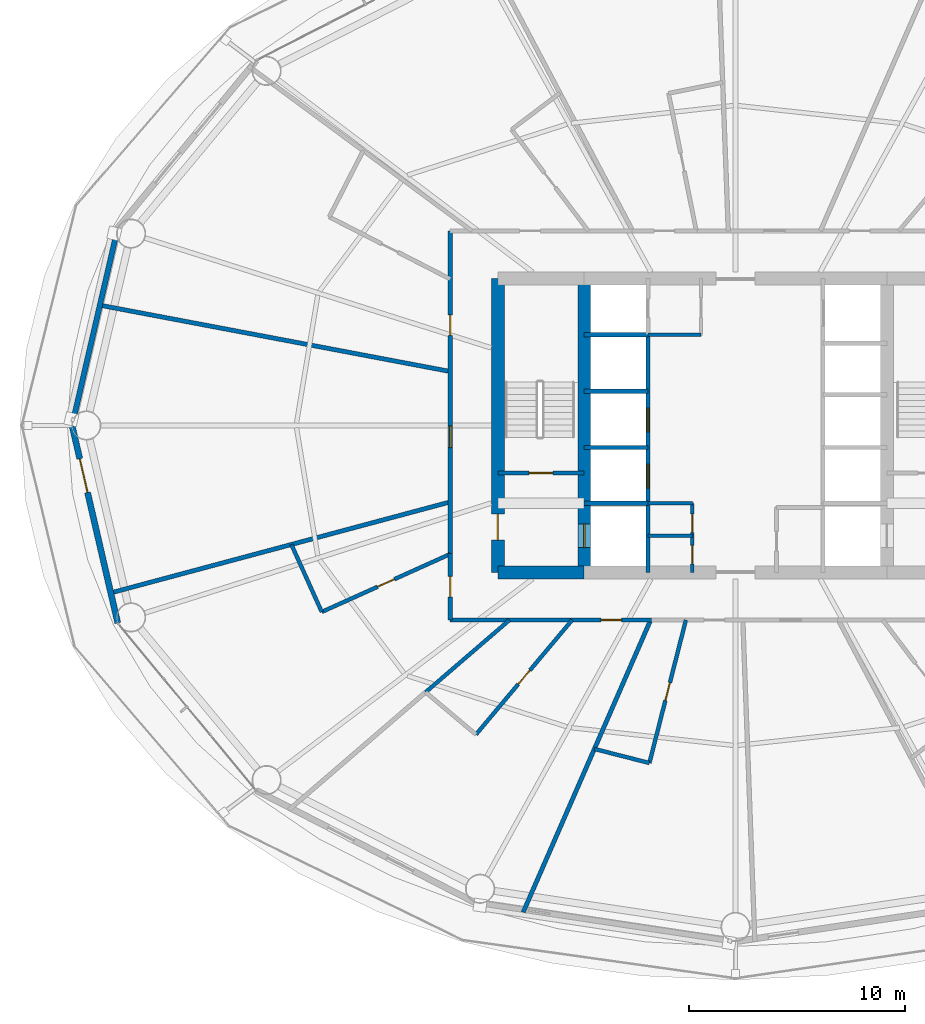
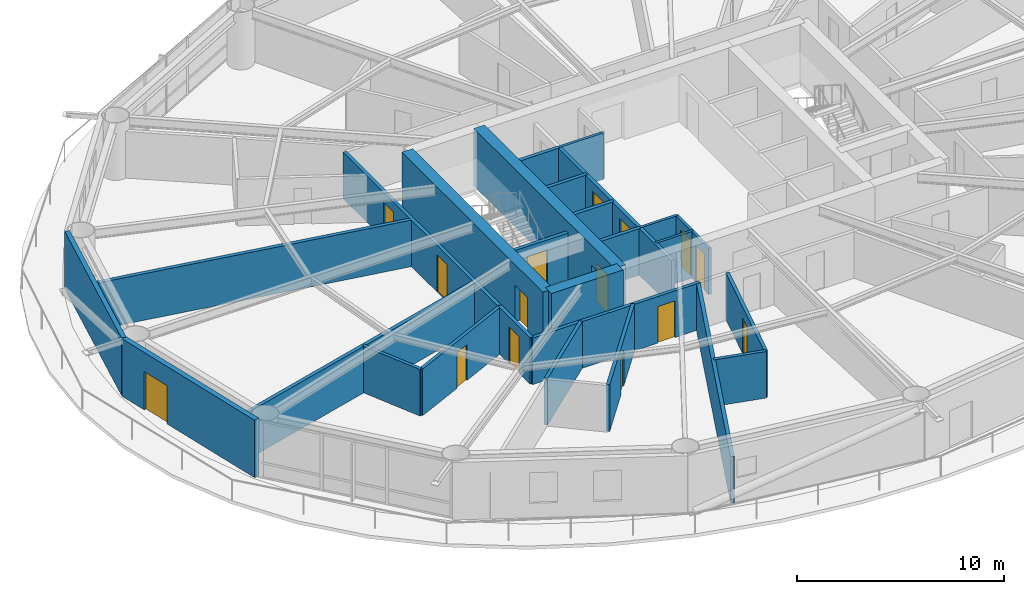
# One storey, part 20 of 26: 28 walls, 15 doors, 15 openings.
"""IFC4 building model written with IfcOpenShell, lengths in metres."""

from ifc_helpers import new_model, si_unit, direction, frame, frame_2d, origin, place, context, subcontext, project, spatial, rectangle, extrude, material, layer, layer_set, type_object, element, fill, save


model = new_model("IFC4")

# Units and contexts
model_context = context("Model", 3, precision=1e-05, world=origin(), true_north=direction((0.0, 1.0)))
body_context = subcontext(model_context, "Body", "Model", "MODEL_VIEW")
ifc_project = project(units=[si_unit("LENGTHUNIT", "METRE"), si_unit("AREAUNIT", "SQUARE_METRE"), si_unit("VOLUMEUNIT", "CUBIC_METRE"), si_unit("PLANEANGLEUNIT", "RADIAN"), si_unit("MASSUNIT", "GRAM", prefix="KILO")], contexts=[model_context])

# Site, building, storey
site_placement = place(None, origin())
site = spatial("IfcSite", under=ifc_project, at=site_placement, CompositionType="ELEMENT")
building_placement = place(site_placement, origin())
building = spatial("IfcBuilding", under=site, at=building_placement, Name="Sarneth Arch Tower", CompositionType="ELEMENT")
storey_placement = place(building_placement, frame((0.0, 0.0, 46.199951171875)))
storey = spatial("IfcBuildingStorey", under=building, at=storey_placement, Name="L10", CompositionType="ELEMENT", Elevation=46.199951171875)

# Wall
ifc_material_1 = material(Name="Concrete C60/75", Category="concrete")
ifc_layer_1 = layer(ifc_material_1, 0.60009765625)
ifc_layer_set_1 = layer_set([ifc_layer_1], Name="Concrete C60/75")
wall_type_1 = type_object("IfcWallType", Name="WALL-CORE-600", PredefinedType="SHEAR", material=ifc_layer_set_1)
wall_1_placement = place(storey_placement, frame((37.0, 35.199951171875, 0.0), z_axis=(0.0, 0.0, 1.0), x_axis=(1.0, 0.0, 0.0)))
element("IfcWall", 1, at=wall_1_placement, inside=storey, type_object=wall_type_1, Name="L10 Core shear wall S-W", PredefinedType="SHEAR", context=body_context, shape_type="SweptSolid", body=[
    extrude(rectangle(XDim=4.0, YDim=0.60009765625, at=frame_2d((2.0, 0.0))), origin(), (0.0, 0.0, 1.0), 3.380126953125),
])

# Wall, opening, door
wall_2_placement = place(storey_placement, frame((37.0, 35.199951171875, 0.0), z_axis=(0.0, 0.0, 1.0), x_axis=(0.0, 1.0, 0.0)))
wall_2 = element("IfcWall", 2, at=wall_2_placement, inside=storey, type_object=wall_type_1, Name="L10 Core shear wall W", PredefinedType="SHEAR", context=body_context, shape_type="SweptSolid", body=[
    extrude(rectangle(XDim=13.60009765625, YDim=0.60009765625, at=frame_2d((6.800048828125, 0.0))), origin(), (0.0, 0.0, 1.0), 3.380126953125),
])
opening_1_placement = place(wall_2_placement, frame((1.5, 0.0, 0.0)))
opening_1 = element("IfcOpeningElement", 3, at=opening_1_placement, cuts=wall_2, Name="Opening FD-02", PredefinedType="OPENING", context=body_context, shape_type="SweptSolid", body=[
    extrude(rectangle(XDim=1.199951171875, YDim=2.14990234375, at=frame_2d((0.60009765625, 1.074951171875))), frame((0.0, 0.31005859375, 0.0), z_axis=(0.0, -1.0, 0.0), x_axis=(1.0, 0.0, 0.0)), (0.0, 0.0, 1.0), 0.6201171875),
])
ifc_material_2 = material(Name="Galvanised Steel S275 fire door set", Category="steel")
door_type_1 = type_object("IfcDoorType", Name="DR-FD90-1200", OperationType="SINGLE_SWING_LEFT", PredefinedType="DOOR", material=ifc_material_2)
door_1_placement = place(opening_1_placement, origin())
door_1 = element("IfcDoor", 4, at=door_1_placement, inside=storey, type_object=door_type_1, Name="L10 Firefighting lobby 1 exit door", OperationType="SINGLE_SWING_LEFT", OverallHeight=2.14990234375, OverallWidth=1.199951171875, PredefinedType="DOOR", context=body_context, shape_type="SweptSolid", body=[
    extrude(rectangle(XDim=1.199951171875, YDim=2.14990234375, at=frame_2d((0.60009765625, 1.074951171875))), frame((0.0, 0.02490234375, 0.0), z_axis=(0.0, -1.0, 0.0), x_axis=(1.0, 0.0, 0.0)), (0.0, 0.0, 1.0), 0.050048828125),
])
fill(opening_1, door_1)

wall_3_placement = place(storey_placement, frame((41.0, 35.199951171875, 0.0), z_axis=(0.0, 0.0, 1.0), x_axis=(0.0, 1.0, 0.0)))
wall_3 = element("IfcWall", 5, at=wall_3_placement, inside=storey, type_object=wall_type_1, Name="L10 Core shear wall WEB-W", PredefinedType="SHEAR", context=body_context, shape_type="SweptSolid", body=[
    extrude(rectangle(XDim=13.60009765625, YDim=0.60009765625, at=frame_2d((6.800048828125, 0.0))), origin(), (0.0, 0.0, 1.0), 3.380126953125),
])
opening_2_placement = place(wall_3_placement, frame((1.14990234375, 0.0, 0.0)))
opening_2 = element("IfcOpeningElement", 6, at=opening_2_placement, cuts=wall_3, Name="Opening LD-1", PredefinedType="OPENING", context=body_context, shape_type="SweptSolid", body=[
    extrude(rectangle(XDim=1.10009765625, YDim=2.199951171875, at=frame_2d((0.550048828125, 1.10009765625))), frame((0.0, 0.31005859375, 0.0), z_axis=(0.0, -1.0, 0.0), x_axis=(1.0, 0.0, 0.0)), (0.0, 0.0, 1.0), 0.6201171875),
])
ifc_material_3 = material(Name="Brushed Stainless Steel 304 lift landing door", Category="steel")
door_type_2 = type_object("IfcDoorType", Name="DR-LIFT-SLIDE-1100", OperationType="SLIDING_TO_LEFT", PredefinedType="DOOR", material=ifc_material_3)
door_2_placement = place(opening_2_placement, origin())
door_2 = element("IfcDoor", 7, at=door_2_placement, inside=storey, type_object=door_type_2, Name="L10 Firefighting lift landing door FL-1", OperationType="SLIDING_TO_LEFT", OverallHeight=2.199951171875, OverallWidth=1.10009765625, PredefinedType="DOOR", context=body_context, shape_type="SweptSolid", body=[
    extrude(rectangle(XDim=1.10009765625, YDim=2.199951171875, at=frame_2d((0.550048828125, 1.10009765625))), frame((0.0, 0.02490234375, 0.0), z_axis=(0.0, -1.0, 0.0), x_axis=(1.0, 0.0, 0.0)), (0.0, 0.0, 1.0), 0.050048828125),
])
fill(opening_2, door_2)

# Wall, openings, doors
ifc_material_4 = material(Name="Double steel-stud corridor fire wall", Category="steel")
ifc_layer_2 = layer(ifc_material_4, 0.18994140625)
ifc_layer_set_2 = layer_set([ifc_layer_2], Name="Double steel-stud corridor fire wall")
wall_type_2 = type_object("IfcWallType", Name="WALL-CORR-190", PredefinedType="PARTITIONING", material=ifc_layer_set_2)
wall_4_placement = place(storey_placement, frame((34.800048828125, 36.016845703125, 0.0), z_axis=(0.0, 0.0, 1.0), x_axis=(0.0, 1.0, 0.0)))
wall_4 = element("IfcWall", 8, at=wall_4_placement, inside=storey, type_object=wall_type_2, Name="L10 Interior partition W-L10-TP-014", PredefinedType="PARTITIONING", context=body_context, shape_type="SweptSolid", body=[
    extrude(rectangle(XDim=14.983154296875, YDim=0.18994140625, at=frame_2d((7.49169921875, 0.0))), origin(), (0.0, 0.0, 1.0), 2.739990234375),
])
opening_3_placement = place(wall_4_placement, frame((4.96337890625, 0.0, 0.0)))
opening_3 = element("IfcOpeningElement", 9, at=opening_3_placement, cuts=wall_4, Name="Opening FD-08", PredefinedType="OPENING", context=body_context, shape_type="SweptSolid", body=[
    extrude(rectangle(XDim=1.0, YDim=2.199951171875, at=frame_2d((0.5, 1.10009765625))), frame((0.0, 0.10498046875, 0.0), z_axis=(0.0, -1.0, 0.0), x_axis=(1.0, 0.0, 0.0)), (0.0, 0.0, 1.0), 0.2099609375),
])
opening_4_placement = place(wall_4_placement, frame((10.146484375, 0.0, 0.0)))
opening_4 = element("IfcOpeningElement", 10, at=opening_4_placement, cuts=wall_4, Name="Opening FD-09", PredefinedType="OPENING", context=body_context, shape_type="SweptSolid", body=[
    extrude(rectangle(XDim=0.949951171875, YDim=2.14990234375, at=frame_2d((0.47509765625, 1.074951171875))), frame((0.0, 0.10498046875, 0.0), z_axis=(0.0, -1.0, 0.0), x_axis=(1.0, 0.0, 0.0)), (0.0, 0.0, 1.0), 0.2099609375),
])
ifc_material_5 = material(Name="Hardwood timber acoustic fire door", Category="wood")
door_type_3 = type_object("IfcDoorType", Name="DR-FD60-1000", OperationType="SINGLE_SWING_LEFT", PredefinedType="DOOR", material=ifc_material_5)
door_3_placement = place(opening_3_placement, origin())
door_3 = element("IfcDoor", 11, at=door_3_placement, inside=storey, type_object=door_type_3, Name="L10 Interior door DR-L10-AMN-07", OperationType="SINGLE_SWING_RIGHT", OverallHeight=2.199951171875, OverallWidth=1.0, PredefinedType="DOOR", context=body_context, shape_type="SweptSolid", body=[
    extrude(rectangle(XDim=1.0, YDim=2.199951171875, at=frame_2d((0.5, 1.10009765625))), frame((0.0, 0.02490234375, 0.0), z_axis=(0.0, -1.0, 0.0), x_axis=(1.0, 0.0, 0.0)), (0.0, 0.0, 1.0), 0.050048828125),
])
fill(opening_3, door_3)
ifc_material_6 = material(Name="Hardwood timber hotel entrance fire door", Category="wood")
door_type_4 = type_object("IfcDoorType", Name="DR-FD60-950", OperationType="SINGLE_SWING_RIGHT", PredefinedType="DOOR", material=ifc_material_6)
door_4_placement = place(opening_4_placement, origin())
door_4 = element("IfcDoor", 12, at=door_4_placement, inside=storey, type_object=door_type_4, Name="L10 Interior door DR-L10-KEY-06", OperationType="SINGLE_SWING_LEFT", OverallHeight=2.14990234375, OverallWidth=0.949951171875, PredefinedType="DOOR", context=body_context, shape_type="SweptSolid", body=[
    extrude(rectangle(XDim=0.949951171875, YDim=2.14990234375, at=frame_2d((0.47509765625, 1.074951171875))), frame((0.0, 0.02490234375, 0.0), z_axis=(0.0, -1.0, 0.0), x_axis=(1.0, 0.0, 0.0)), (0.0, 0.0, 1.0), 0.050048828125),
])
fill(opening_4, door_4)

# Wall, opening, door
wall_5_placement = place(storey_placement, frame((44.108154296875, 33.0, 0.0), z_axis=(0.0, 0.0, 1.0), x_axis=(-1.0, 0.0, 0.0)))
wall_5 = element("IfcWall", 13, at=wall_5_placement, inside=storey, type_object=wall_type_2, Name="L10 Interior partition W-L10-TP-018", PredefinedType="PARTITIONING", context=body_context, shape_type="SweptSolid", body=[
    extrude(rectangle(XDim=9.30810546875, YDim=0.18994140625, at=frame_2d((4.654052734375, 0.0))), origin(), (0.0, 0.0, 1.0), 2.739990234375),
])
opening_5_placement = place(wall_5_placement, frame((1.379638671875, 0.0, 0.0)))
opening_5 = element("IfcOpeningElement", 14, at=opening_5_placement, cuts=wall_5, Name="Opening FD-09", PredefinedType="OPENING", context=body_context, shape_type="SweptSolid", body=[
    extrude(rectangle(XDim=0.949951171875, YDim=2.14990234375, at=frame_2d((0.47509765625, 1.074951171875))), frame((0.0, 0.10498046875, 0.0), z_axis=(0.0, -1.0, 0.0), x_axis=(1.0, 0.0, 0.0)), (0.0, 0.0, 1.0), 0.2099609375),
])
door_5_placement = place(opening_5_placement, origin())
door_5 = element("IfcDoor", 15, at=door_5_placement, inside=storey, type_object=door_type_4, Name="L10 Interior door DR-L10-KEY-09", OperationType="SINGLE_SWING_RIGHT", OverallHeight=2.14990234375, OverallWidth=0.949951171875, PredefinedType="DOOR", context=body_context, shape_type="SweptSolid", body=[
    extrude(rectangle(XDim=0.949951171875, YDim=2.14990234375, at=frame_2d((0.47509765625, 1.074951171875))), frame((0.0, 0.02490234375, 0.0), z_axis=(0.0, -1.0, 0.0), x_axis=(1.0, 0.0, 0.0)), (0.0, 0.0, 1.0), 0.050048828125),
])
fill(opening_5, door_5)

wall_6_placement = place(storey_placement, frame((34.800048828125, 33.0, 0.0), z_axis=(0.0, 0.0, 1.0), x_axis=(0.0, 1.0, 0.0)))
wall_6 = element("IfcWall", 16, at=wall_6_placement, inside=storey, type_object=wall_type_2, Name="L10 Interior partition W-L10-TP-016", PredefinedType="PARTITIONING", context=body_context, shape_type="SweptSolid", body=[
    extrude(rectangle(XDim=3.0869140625, YDim=0.18994140625, at=frame_2d((1.54345703125, 0.0))), origin(), (0.0, 0.0, 1.0), 2.739990234375),
])
opening_6_placement = place(wall_6_placement, frame((1.068603515625, 0.0, 0.0)))
opening_6 = element("IfcOpeningElement", 17, at=opening_6_placement, cuts=wall_6, Name="Opening FD-09", PredefinedType="OPENING", context=body_context, shape_type="SweptSolid", body=[
    extrude(rectangle(XDim=0.949951171875, YDim=2.14990234375, at=frame_2d((0.47509765625, 1.074951171875))), frame((0.0, 0.10498046875, 0.0), z_axis=(0.0, -1.0, 0.0), x_axis=(1.0, 0.0, 0.0)), (0.0, 0.0, 1.0), 0.2099609375),
])
door_6_placement = place(opening_6_placement, origin())
door_6 = element("IfcDoor", 18, at=door_6_placement, inside=storey, type_object=door_type_4, Name="L10 Interior door DR-L10-KEY-08", OperationType="SINGLE_SWING_LEFT", OverallHeight=2.14990234375, OverallWidth=0.949951171875, PredefinedType="DOOR", context=body_context, shape_type="SweptSolid", body=[
    extrude(rectangle(XDim=0.949951171875, YDim=2.14990234375, at=frame_2d((0.47509765625, 1.074951171875))), frame((0.0, 0.02490234375, 0.0), z_axis=(0.0, -1.0, 0.0), x_axis=(1.0, 0.0, 0.0)), (0.0, 0.0, 1.0), 0.050048828125),
])
fill(opening_6, door_6)

# Wall
ifc_material_7 = material(Name="Extruded terracotta rainscreen on Concrete C40/50 backing", Category="masonry")
ifc_layer_3 = layer(ifc_material_7, 0.25)
ifc_layer_set_3 = layer_set([ifc_layer_3], Name="Extruded terracotta rainscreen on Concrete C40/50 backing")
wall_type_3 = type_object("IfcWallType", Name="WALL-EXT-SPAND-250", PredefinedType="SOLIDWALL", material=ifc_layer_set_3)
wall_7_placement = place(storey_placement, frame((19.4189453125, 51.138427734375, 0.0), z_axis=(0.0, 0.0, 1.0), x_axis=(-0.225454452941, -0.974253709076, 0.0)))
element("IfcWall", 19, at=wall_7_placement, inside=storey, type_object=wall_type_3, Name="L10 Terracotta perimeter wall 08", PredefinedType="SOLIDWALL", context=body_context, shape_type="SweptSolid", body=[
    extrude(rectangle(XDim=9.3798828125, YDim=0.25, at=frame_2d((4.68994140625, 0.0))), origin(), (0.0, 0.0, 1.0), 3.380126953125),
])

# Wall, opening, door
ifc_material_8 = material(Name="Extruded terracotta rainscreen on Concrete C40/50 backing", Category="masonry")
ifc_layer_4 = layer(ifc_material_8, 0.280029296875)
ifc_layer_set_4 = layer_set([ifc_layer_4], Name="Extruded terracotta rainscreen on Concrete C40/50 backing")
wall_type_4 = type_object("IfcWallType", Name="WALL-EXT-TERRA-280", PredefinedType="SOLIDWALL", material=ifc_layer_set_4)
wall_8_placement = place(storey_placement, frame((17.30419921875, 42.0, 0.0), z_axis=(0.0, 0.0, 1.0), x_axis=(0.225454452941, -0.974253709076, 0.0)))
wall_8 = element("IfcWall", 20, at=wall_8_placement, inside=storey, type_object=wall_type_4, Name="L10 Terracotta perimeter wall 09", PredefinedType="SOLIDWALL", context=body_context, shape_type="SweptSolid", body=[
    extrude(rectangle(XDim=9.3798828125, YDim=0.280029296875, at=frame_2d((4.68994140625, 0.0))), origin(), (0.0, 0.0, 1.0), 3.380126953125),
])
opening_7_placement = place(wall_8_placement, frame((1.5791015625, 0.0, 0.0)))
opening_7 = element("IfcOpeningElement", 21, at=opening_7_placement, cuts=wall_8, Name="Opening BD-1", PredefinedType="OPENING", context=body_context, shape_type="SweptSolid", body=[
    extrude(rectangle(XDim=1.60009765625, YDim=2.25, at=frame_2d((0.800048828125, 1.125))), frame((0.0, 0.14990234375, 0.0), z_axis=(0.0, -1.0, 0.0), x_axis=(1.0, 0.0, 0.0)), (0.0, 0.0, 1.0), 0.300048828125),
])
ifc_material_9 = material(Name="Thermally broken Aluminium 6063-T6 and laminated safety glass", Category="aluminium")
door_type_5 = type_object("IfcDoorType", Name="DR-BALC-GLZ-1600", OperationType="DOUBLE_DOOR_SINGLE_SWING", PredefinedType="DOOR", material=ifc_material_9)
door_7_placement = place(opening_7_placement, origin())
door_7 = element("IfcDoor", 22, at=door_7_placement, inside=storey, type_object=door_type_5, Name="L10 Balcony glazed door 09", OperationType="DOUBLE_DOOR_SINGLE_SWING", OverallHeight=2.25, OverallWidth=1.60009765625, PredefinedType="DOOR", context=body_context, shape_type="SweptSolid", body=[
    extrude(rectangle(XDim=1.60009765625, YDim=2.25, at=frame_2d((0.800048828125, 1.125))), frame((0.0, 0.02490234375, 0.0), z_axis=(0.0, -1.0, 0.0), x_axis=(1.0, 0.0, 0.0)), (0.0, 0.0, 1.0), 0.050048828125),
])
fill(opening_7, door_7)

# Walls
ifc_material_10 = material(Name="Acoustic gypsum stud partition", Category="gypsum")
ifc_layer_5 = layer(ifc_material_10, 0.14990234375)
ifc_layer_set_5 = layer_set([ifc_layer_5], Name="Acoustic gypsum stud partition")
wall_type_5 = type_object("IfcWallType", Name="WALL-PART-150", PredefinedType="PARTITIONING", material=ifc_layer_set_5)
for number, where, z_axis, x_axis, name in (
    (23, (43.949951171875, 36.89990234375, 0.0), (0.0, 0.0, 1.0), (1.0, 0.0, 0.0), "L10 Interior partition W-L10-CSUP-M"),
    (24, (43.949951171875, 38.39990234375, 0.0), (0.0, 0.0, 1.0), (1.0, 0.0, 0.0), "L10 Interior partition W-L10-CSUP-N"),
):
    element("IfcWall", number, at=place(storey_placement, frame(where, z_axis=z_axis, x_axis=x_axis)), inside=storey, type_object=wall_type_5, Name=name, PredefinedType="PARTITIONING", context=body_context, shape_type="SweptSolid", body=[
        extrude(rectangle(XDim=2.050048828125, YDim=0.14990234375, at=frame_2d((1.02490234375, 0.0))), origin(), (0.0, 0.0, 1.0), 2.739990234375),
    ])

# Wall, openings, doors
wall_9_placement = place(storey_placement, frame((46.0, 35.199951171875, 0.0), z_axis=(0.0, 0.0, 1.0), x_axis=(0.0, 1.0, 0.0)))
wall_9 = element("IfcWall", 25, at=wall_9_placement, inside=storey, type_object=wall_type_5, Name="L10 Interior partition W-L10-CSUP-E", PredefinedType="PARTITIONING", context=body_context, shape_type="SweptSolid", body=[
    extrude(rectangle(XDim=3.199951171875, YDim=0.14990234375, at=frame_2d((1.60009765625, 0.0))), origin(), (0.0, 0.0, 1.0), 2.739990234375),
])
opening_8_placement = place(wall_9_placement, frame((0.39990234375, 0.0, 0.0)))
opening_8 = element("IfcOpeningElement", 26, at=opening_8_placement, cuts=wall_9, Name="Opening FD-11", PredefinedType="OPENING", context=body_context, shape_type="SweptSolid", body=[
    extrude(rectangle(XDim=0.85009765625, YDim=2.14990234375, at=frame_2d((0.425048828125, 1.074951171875))), frame((0.0, 0.0849609375, 0.0), z_axis=(0.0, -1.0, 0.0), x_axis=(1.0, 0.0, 0.0)), (0.0, 0.0, 1.0), 0.169921875),
])
opening_9_placement = place(wall_9_placement, frame((1.85009765625, 0.0, 0.0)))
opening_9 = element("IfcOpeningElement", 27, at=opening_9_placement, cuts=wall_9, Name="Opening FD-11", PredefinedType="OPENING", context=body_context, shape_type="SweptSolid", body=[
    extrude(rectangle(XDim=0.85009765625, YDim=2.14990234375, at=frame_2d((0.425048828125, 1.074951171875))), frame((0.0, 0.0849609375, 0.0), z_axis=(0.0, -1.0, 0.0), x_axis=(1.0, 0.0, 0.0)), (0.0, 0.0, 1.0), 0.169921875),
])
ifc_material_11 = material(Name="Galvanised Steel S275 closet fire door", Category="steel")
door_type_6 = type_object("IfcDoorType", Name="DR-FD60-850", OperationType="SINGLE_SWING_LEFT", PredefinedType="DOOR", material=ifc_material_11)
door_8_placement = place(opening_8_placement, origin())
door_8 = element("IfcDoor", 28, at=door_8_placement, inside=storey, type_object=door_type_6, Name="L10 Interior door DR-L10-CSUP1", OperationType="SINGLE_SWING_LEFT", OverallHeight=2.14990234375, OverallWidth=0.85009765625, PredefinedType="DOOR", context=body_context, shape_type="SweptSolid", body=[
    extrude(rectangle(XDim=0.85009765625, YDim=2.14990234375, at=frame_2d((0.425048828125, 1.074951171875))), frame((0.0, 0.02490234375, 0.0), z_axis=(0.0, -1.0, 0.0), x_axis=(1.0, 0.0, 0.0)), (0.0, 0.0, 1.0), 0.050048828125),
])
fill(opening_8, door_8)
door_9_placement = place(opening_9_placement, origin())
door_9 = element("IfcDoor", 29, at=door_9_placement, inside=storey, type_object=door_type_6, Name="L10 Interior door DR-L10-CSUP2", OperationType="SINGLE_SWING_RIGHT", OverallHeight=2.14990234375, OverallWidth=0.85009765625, PredefinedType="DOOR", context=body_context, shape_type="SweptSolid", body=[
    extrude(rectangle(XDim=0.85009765625, YDim=2.14990234375, at=frame_2d((0.425048828125, 1.074951171875))), frame((0.0, 0.02490234375, 0.0), z_axis=(0.0, -1.0, 0.0), x_axis=(1.0, 0.0, 0.0)), (0.0, 0.0, 1.0), 0.050048828125),
])
fill(opening_9, door_9)

# Wall
wall_10_placement = place(storey_placement, frame((43.949951171875, 46.199951171875, 0.0), z_axis=(0.0, 0.0, 1.0), x_axis=(1.0, 0.0, 0.0)))
element("IfcWall", 30, at=wall_10_placement, inside=storey, type_object=wall_type_5, Name="L10 Interior partition W-L10-CSUP3-S", PredefinedType="PARTITIONING", context=body_context, shape_type="SweptSolid", body=[
    extrude(rectangle(XDim=2.449951171875, YDim=0.14990234375, at=frame_2d((1.22509765625, 0.0))), origin(), (0.0, 0.0, 1.0), 2.739990234375),
])

# Wall, opening, door
ifc_material_12 = material(Name="Moisture-resistant plumbing chase wall", Category="gypsum")
ifc_layer_6 = layer(ifc_material_12, 0.179931640625)
ifc_layer_set_6 = layer_set([ifc_layer_6], Name="Moisture-resistant plumbing chase wall")
wall_type_6 = type_object("IfcWallType", Name="WALL-PLUMB-180", PredefinedType="PLUMBINGWALL", material=ifc_layer_set_6)
wall_11_placement = place(storey_placement, frame((40.4404296875, 33.0, 0.0), z_axis=(0.0, 0.0, 1.0), x_axis=(-0.643154836645, -0.765736153058, 0.0)))
wall_11 = element("IfcWall", 31, at=wall_11_placement, inside=storey, type_object=wall_type_6, Name="L10 Interior partition W-L10-TP-058", PredefinedType="PLUMBINGWALL", context=body_context, shape_type="SweptSolid", body=[
    extrude(rectangle(XDim=6.9169921875, YDim=0.179931640625, at=frame_2d((3.45849609375, 0.0))), origin(), (0.0, 0.0, 1.0), 2.739990234375),
])
opening_10_placement = place(wall_11_placement, frame((3.03369140625, 0.0, 0.0)))
opening_10 = element("IfcOpeningElement", 32, at=opening_10_placement, cuts=wall_11, Name="Opening ID-02", PredefinedType="OPENING", context=body_context, shape_type="SweptSolid", body=[
    extrude(rectangle(XDim=0.85009765625, YDim=2.10009765625, at=frame_2d((0.425048828125, 1.050048828125))), frame((0.0, 0.099853515625, 0.0), z_axis=(0.0, -1.0, 0.0), x_axis=(1.0, 0.0, 0.0)), (0.0, 0.0, 1.0), 0.199951171875),
])
ifc_material_13 = material(Name="Moisture-resistant bathroom timber door", Category="wood")
door_type_7 = type_object("IfcDoorType", Name="DR-INT-850", OperationType="SINGLE_SWING_RIGHT", PredefinedType="DOOR", material=ifc_material_13)
door_10_placement = place(opening_10_placement, origin())
door_10 = element("IfcDoor", 33, at=door_10_placement, inside=storey, type_object=door_type_7, Name="L10 Interior door DR-L10-ENS-09", OperationType="SINGLE_SWING_RIGHT", OverallHeight=2.10009765625, OverallWidth=0.85009765625, PredefinedType="DOOR", context=body_context, shape_type="SweptSolid", body=[
    extrude(rectangle(XDim=0.85009765625, YDim=2.10009765625, at=frame_2d((0.425048828125, 1.050048828125))), frame((0.0, 0.02490234375, 0.0), z_axis=(0.0, -1.0, 0.0), x_axis=(1.0, 0.0, 0.0)), (0.0, 0.0, 1.0), 0.050048828125),
])
fill(opening_10, door_10)

wall_12_placement = place(storey_placement, frame((44.015625, 26.384765625, 0.0), z_axis=(0.0, 0.0, 1.0), x_axis=(0.247244670819, 0.968953080779, 0.0)))
wall_12 = element("IfcWall", 34, at=wall_12_placement, inside=storey, type_object=wall_type_6, Name="L10 Interior partition W-L10-TP-063", PredefinedType="PLUMBINGWALL", context=body_context, shape_type="SweptSolid", body=[
    extrude(rectangle(XDim=6.8271484375, YDim=0.179931640625, at=frame_2d((3.41357421875, 0.0))), origin(), (0.0, 0.0, 1.0), 2.739990234375),
])
opening_11_placement = place(wall_12_placement, frame((2.988525390625, 0.0, 0.0)))
opening_11 = element("IfcOpeningElement", 35, at=opening_11_placement, cuts=wall_12, Name="Opening ID-02", PredefinedType="OPENING", context=body_context, shape_type="SweptSolid", body=[
    extrude(rectangle(XDim=0.85009765625, YDim=2.10009765625, at=frame_2d((0.425048828125, 1.050048828125))), frame((0.0, 0.099853515625, 0.0), z_axis=(0.0, -1.0, 0.0), x_axis=(1.0, 0.0, 0.0)), (0.0, 0.0, 1.0), 0.199951171875),
])
door_11_placement = place(opening_11_placement, origin())
door_11 = element("IfcDoor", 36, at=door_11_placement, inside=storey, type_object=door_type_7, Name="L10 Interior door DR-L10-ENS-10", OperationType="SINGLE_SWING_RIGHT", OverallHeight=2.10009765625, OverallWidth=0.85009765625, PredefinedType="DOOR", context=body_context, shape_type="SweptSolid", body=[
    extrude(rectangle(XDim=0.85009765625, YDim=2.10009765625, at=frame_2d((0.425048828125, 1.050048828125))), frame((0.0, 0.02490234375, 0.0), z_axis=(0.0, -1.0, 0.0), x_axis=(1.0, 0.0, 0.0)), (0.0, 0.0, 1.0), 0.050048828125),
])
fill(opening_11, door_11)

wall_13_placement = place(storey_placement, frame((28.85693359375, 33.373779296875, 0.0), z_axis=(0.0, 0.0, 1.0), x_axis=(0.911702033518, 0.410852044025, 0.0)))
wall_13 = element("IfcWall", 37, at=wall_13_placement, inside=storey, type_object=wall_type_6, Name="L10 Interior partition W-L10-TP-055", PredefinedType="PLUMBINGWALL", context=body_context, shape_type="SweptSolid", body=[
    extrude(rectangle(XDim=6.518798828125, YDim=0.179931640625, at=frame_2d((3.25927734375, 0.0))), origin(), (0.0, 0.0, 1.0), 2.739990234375),
])
opening_12_placement = place(wall_13_placement, frame((2.834228515625, 0.0, 0.0)))
opening_12 = element("IfcOpeningElement", 38, at=opening_12_placement, cuts=wall_13, Name="Opening ID-02", PredefinedType="OPENING", context=body_context, shape_type="SweptSolid", body=[
    extrude(rectangle(XDim=0.85009765625, YDim=2.10009765625, at=frame_2d((0.425048828125, 1.050048828125))), frame((0.0, 0.099853515625, 0.0), z_axis=(0.0, -1.0, 0.0), x_axis=(1.0, 0.0, 0.0)), (0.0, 0.0, 1.0), 0.199951171875),
])
door_12_placement = place(opening_12_placement, origin())
door_12 = element("IfcDoor", 39, at=door_12_placement, inside=storey, type_object=door_type_7, Name="L10 Interior door DR-L10-ENS-08", OperationType="SINGLE_SWING_RIGHT", OverallHeight=2.10009765625, OverallWidth=0.85009765625, PredefinedType="DOOR", context=body_context, shape_type="SweptSolid", body=[
    extrude(rectangle(XDim=0.85009765625, YDim=2.10009765625, at=frame_2d((0.425048828125, 1.050048828125))), frame((0.0, 0.02490234375, 0.0), z_axis=(0.0, -1.0, 0.0), x_axis=(1.0, 0.0, 0.0)), (0.0, 0.0, 1.0), 0.050048828125),
])
fill(opening_12, door_12)

# Walls
wall_14_placement = place(storey_placement, frame((33.661376953125, 29.66064453125, 0.0), z_axis=(0.0, 0.0, 1.0), x_axis=(0.757969199921, 0.652290343307, 0.0)))
element("IfcWall", 40, at=wall_14_placement, inside=storey, type_object=wall_type_6, Name="L10 Interior partition W-L10-TP-057", PredefinedType="PLUMBINGWALL", context=body_context, shape_type="SweptSolid", body=[
    extrude(rectangle(XDim=5.119384765625, YDim=0.179931640625, at=frame_2d((2.5595703125, 0.0))), origin(), (0.0, 0.0, 1.0), 2.739990234375),
])
wall_15_placement = place(storey_placement, frame((27.450927734375, 36.493896484375, 0.0), z_axis=(0.0, 0.0, 1.0), x_axis=(0.410839223928, -0.911707810695, 0.0)))
element("IfcWall", 41, at=wall_15_placement, inside=storey, type_object=wall_type_6, Name="L10 Interior partition W-L10-TP-054", PredefinedType="PLUMBINGWALL", context=body_context, shape_type="SweptSolid", body=[
    extrude(rectangle(XDim=3.42236328125, YDim=0.179931640625, at=frame_2d((1.711181640625, 0.0))), origin(), (0.0, 0.0, 1.0), 2.739990234375),
])
wall_16_placement = place(storey_placement, frame((41.470458984375, 27.0341796875, 0.0), z_axis=(0.0, 0.0, 1.0), x_axis=(0.968955620009, -0.24723471935, 0.0)))
element("IfcWall", 42, at=wall_16_placement, inside=storey, type_object=wall_type_6, Name="L10 Interior partition W-L10-TP-062", PredefinedType="PLUMBINGWALL", context=body_context, shape_type="SweptSolid", body=[
    extrude(rectangle(XDim=2.626708984375, YDim=0.179931640625, at=frame_2d((1.3134765625, 0.0))), origin(), (0.0, 0.0, 1.0), 2.739990234375),
])

# Wall, opening, door
ifc_material_14 = material(Name="Aerated concrete blockwork C25/30", Category="masonry")
ifc_layer_7 = layer(ifc_material_14, 0.199951171875)
ifc_layer_set_7 = layer_set([ifc_layer_7], Name="Aerated concrete blockwork C25/30")
wall_type_7 = type_object("IfcWallType", Name="WALL-SHAFT-200", PredefinedType="SOLIDWALL", material=ifc_layer_set_7)
wall_17_placement = place(storey_placement, frame((37.0, 39.800048828125, 0.0), z_axis=(0.0, 0.0, 1.0), x_axis=(1.0, 0.0, 0.0)))
wall_17 = element("IfcWall", 43, at=wall_17_placement, inside=storey, type_object=wall_type_7, Name="L10 Interior partition W-L10-ST1-S", PredefinedType="SOLIDWALL", context=body_context, shape_type="SweptSolid", body=[
    extrude(rectangle(XDim=4.0, YDim=0.199951171875, at=frame_2d((2.0, 0.0))), origin(), (0.0, 0.0, 1.0), 2.739990234375),
])
opening_13_placement = place(wall_17_placement, frame((1.449951171875, 0.0, 0.0)))
opening_13 = element("IfcOpeningElement", 44, at=opening_13_placement, cuts=wall_17, Name="Opening FD-03", PredefinedType="OPENING", context=body_context, shape_type="SweptSolid", body=[
    extrude(rectangle(XDim=1.10009765625, YDim=2.14990234375, at=frame_2d((0.550048828125, 1.074951171875))), frame((0.0, 0.10986328125, 0.0), z_axis=(0.0, -1.0, 0.0), x_axis=(1.0, 0.0, 0.0)), (0.0, 0.0, 1.0), 0.219970703125),
])
ifc_material_15 = material(Name="Galvanised Steel S275 fire door set", Category="steel")
door_type_8 = type_object("IfcDoorType", Name="DR-FD90-1100", OperationType="SINGLE_SWING_LEFT", PredefinedType="DOOR", material=ifc_material_15)
door_13_placement = place(opening_13_placement, origin())
door_13 = element("IfcDoor", 45, at=door_13_placement, inside=storey, type_object=door_type_8, Name="L10 Interior door DR-L10-ST1", OperationType="SINGLE_SWING_LEFT", OverallHeight=2.14990234375, OverallWidth=1.10009765625, PredefinedType="DOOR", context=body_context, shape_type="SweptSolid", body=[
    extrude(rectangle(XDim=1.10009765625, YDim=2.14990234375, at=frame_2d((0.550048828125, 1.074951171875))), frame((0.0, 0.02490234375, 0.0), z_axis=(0.0, -1.0, 0.0), x_axis=(1.0, 0.0, 0.0)), (0.0, 0.0, 1.0), 0.050048828125),
])
fill(opening_13, door_13)

# Walls
wall_18_placement = place(storey_placement, frame((43.949951171875, 35.199951171875, 0.0), z_axis=(0.0, 0.0, 1.0), x_axis=(0.0, 1.0, 0.0)))
element("IfcWall", 46, at=wall_18_placement, inside=storey, type_object=wall_type_7, Name="L10 Interior partition W-L10-FL1-E", PredefinedType="SOLIDWALL", context=body_context, shape_type="SweptSolid", body=[
    extrude(rectangle(XDim=3.199951171875, YDim=0.199951171875, at=frame_2d((1.60009765625, 0.0))), origin(), (0.0, 0.0, 1.0), 2.739990234375),
])
for number, where, z_axis, x_axis, name in (
    (47, (41.0, 38.39990234375, 0.0), (0.0, 0.0, 1.0), (1.0, 0.0, 0.0), "L10 Interior partition W-L10-FL1-N"),
    (48, (41.0, 46.199951171875, 0.0), (0.0, 0.0, 1.0), (1.0, 0.0, 0.0), "L10 Interior partition W-L10-RISER-S"),
):
    element("IfcWall", number, at=place(storey_placement, frame(where, z_axis=z_axis, x_axis=x_axis)), inside=storey, type_object=wall_type_7, Name=name, PredefinedType="SOLIDWALL", context=body_context, shape_type="SweptSolid", body=[
        extrude(rectangle(XDim=2.949951171875, YDim=0.199951171875, at=frame_2d((1.47509765625, 0.0))), origin(), (0.0, 0.0, 1.0), 2.739990234375),
    ])

# Wall, openings, doors
wall_19_placement = place(storey_placement, frame((43.949951171875, 38.39990234375, 0.0), z_axis=(0.0, 0.0, 1.0), x_axis=(0.0, 1.0, 0.0)))
wall_19 = element("IfcWall", 49, at=wall_19_placement, inside=storey, type_object=wall_type_7, Name="L10 Interior partition W-L10-WESTBANK-FRONT", PredefinedType="SOLIDWALL", context=body_context, shape_type="SweptSolid", body=[
    extrude(rectangle(XDim=7.800048828125, YDim=0.199951171875, at=frame_2d((3.89990234375, 0.0))), origin(), (0.0, 0.0, 1.0), 2.739990234375),
])
opening_14_placement = place(wall_19_placement, frame((0.699951171875, 0.0, 0.0)))
opening_14 = element("IfcOpeningElement", 50, at=opening_14_placement, cuts=wall_19, Name="Opening LD-1", PredefinedType="OPENING", context=body_context, shape_type="SweptSolid", body=[
    extrude(rectangle(XDim=1.10009765625, YDim=2.199951171875, at=frame_2d((0.550048828125, 1.10009765625))), frame((0.0, 0.10986328125, 0.0), z_axis=(0.0, -1.0, 0.0), x_axis=(1.0, 0.0, 0.0)), (0.0, 0.0, 1.0), 0.219970703125),
])
opening_15_placement = place(wall_19_placement, frame((3.300048828125, 0.0, 0.0)))
opening_15 = element("IfcOpeningElement", 51, at=opening_15_placement, cuts=wall_19, Name="Opening LD-1", PredefinedType="OPENING", context=body_context, shape_type="SweptSolid", body=[
    extrude(rectangle(XDim=1.10009765625, YDim=2.199951171875, at=frame_2d((0.550048828125, 1.10009765625))), frame((0.0, 0.10986328125, 0.0), z_axis=(0.0, -1.0, 0.0), x_axis=(1.0, 0.0, 0.0)), (0.0, 0.0, 1.0), 0.219970703125),
])
door_14_placement = place(opening_14_placement, origin())
door_14 = element("IfcDoor", 52, at=door_14_placement, inside=storey, type_object=door_type_2, Name="L10 Lift landing door DR-L10-LD-PL1", OperationType="SLIDING_TO_LEFT", OverallHeight=2.199951171875, OverallWidth=1.10009765625, PredefinedType="DOOR", context=body_context, shape_type="SweptSolid", body=[
    extrude(rectangle(XDim=1.10009765625, YDim=2.199951171875, at=frame_2d((0.550048828125, 1.10009765625))), frame((0.0, 0.02490234375, 0.0), z_axis=(0.0, -1.0, 0.0), x_axis=(1.0, 0.0, 0.0)), (0.0, 0.0, 1.0), 0.050048828125),
])
fill(opening_14, door_14)
door_15_placement = place(opening_15_placement, origin())
door_15 = element("IfcDoor", 53, at=door_15_placement, inside=storey, type_object=door_type_2, Name="L10 Lift landing door DR-L10-LD-PL2", OperationType="SLIDING_TO_RIGHT", OverallHeight=2.199951171875, OverallWidth=1.10009765625, PredefinedType="DOOR", context=body_context, shape_type="SweptSolid", body=[
    extrude(rectangle(XDim=1.10009765625, YDim=2.199951171875, at=frame_2d((0.550048828125, 1.10009765625))), frame((0.0, 0.02490234375, 0.0), z_axis=(0.0, -1.0, 0.0), x_axis=(1.0, 0.0, 0.0)), (0.0, 0.0, 1.0), 0.050048828125),
])
fill(opening_15, door_15)

# Walls
for number, where, z_axis, x_axis, name in (
    (54, (41.0, 40.97998046875, 0.0), (0.0, 0.0, 1.0), (1.0, 0.0, 0.0), "L10 Interior partition W-L10-WB-DIV-4098"),
    (55, (41.0, 43.580078125, 0.0), (0.0, 0.0, 1.0), (1.0, 0.0, 0.0), "L10 Interior partition W-L10-WB-DIV-4358"),
):
    element("IfcWall", number, at=place(storey_placement, frame(where, z_axis=z_axis, x_axis=x_axis)), inside=storey, type_object=wall_type_7, Name=name, PredefinedType="SOLIDWALL", context=body_context, shape_type="SweptSolid", body=[
        extrude(rectangle(XDim=2.949951171875, YDim=0.199951171875, at=frame_2d((1.47509765625, 0.0))), origin(), (0.0, 0.0, 1.0), 2.739990234375),
    ])
ifc_material_16 = material(Name="Double steel-stud acoustic drywall", Category="steel")
ifc_layer_8 = layer(ifc_material_16, 0.199951171875)
ifc_layer_set_8 = layer_set([ifc_layer_8], Name="Double steel-stud acoustic drywall")
wall_type_8 = type_object("IfcWallType", Name="WALL-UNIT-200", PredefinedType="PARTITIONING", material=ifc_layer_set_8)
wall_20_placement = place(storey_placement, frame((34.800048828125, 44.49755859375, 0.0), z_axis=(0.0, 0.0, 1.0), x_axis=(-0.982565603173, 0.185916205484, 0.0)))
element("IfcWall", 56, at=wall_20_placement, inside=storey, type_object=wall_type_8, Name="L10 Interior partition W-L10-TP-051", PredefinedType="PARTITIONING", context=body_context, shape_type="SweptSolid", body=[
    extrude(rectangle(XDim=16.61572265625, YDim=0.199951171875, at=frame_2d((8.307861328125, 0.0))), origin(), (0.0, 0.0, 1.0), 2.739990234375),
])
wall_21_placement = place(storey_placement, frame((34.800048828125, 38.463134765625, 0.0), z_axis=(0.0, 0.0, 1.0), x_axis=(-0.965922233104, -0.258832454679, 0.0)))
element("IfcWall", 57, at=wall_21_placement, inside=storey, type_object=wall_type_8, Name="L10 Interior partition W-L10-TP-052", PredefinedType="PARTITIONING", context=body_context, shape_type="SweptSolid", body=[
    extrude(rectangle(XDim=16.37744140625, YDim=0.199951171875, at=frame_2d((8.188720703125, 0.0))), origin(), (0.0, 0.0, 1.0), 2.739990234375),
])
wall_22_placement = place(storey_placement, frame((44.0732421875, 33.0, 0.0), z_axis=(0.0, 0.0, 1.0), x_axis=(-0.399884283786, -0.916565632991, 0.0)))
element("IfcWall", 58, at=wall_22_placement, inside=storey, type_object=wall_type_8, Name="L10 Interior partition W-L10-TP-060", PredefinedType="PARTITIONING", context=body_context, shape_type="SweptSolid", body=[
    extrude(rectangle(XDim=14.7490234375, YDim=0.199951171875, at=frame_2d((7.37451171875, 0.0))), origin(), (0.0, 0.0, 1.0), 2.739990234375),
])

save(model, "model.ifc")
